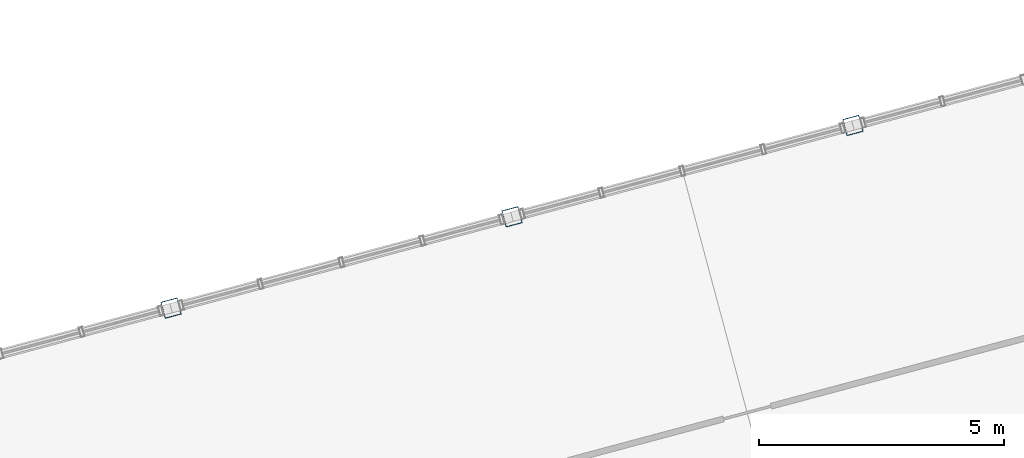
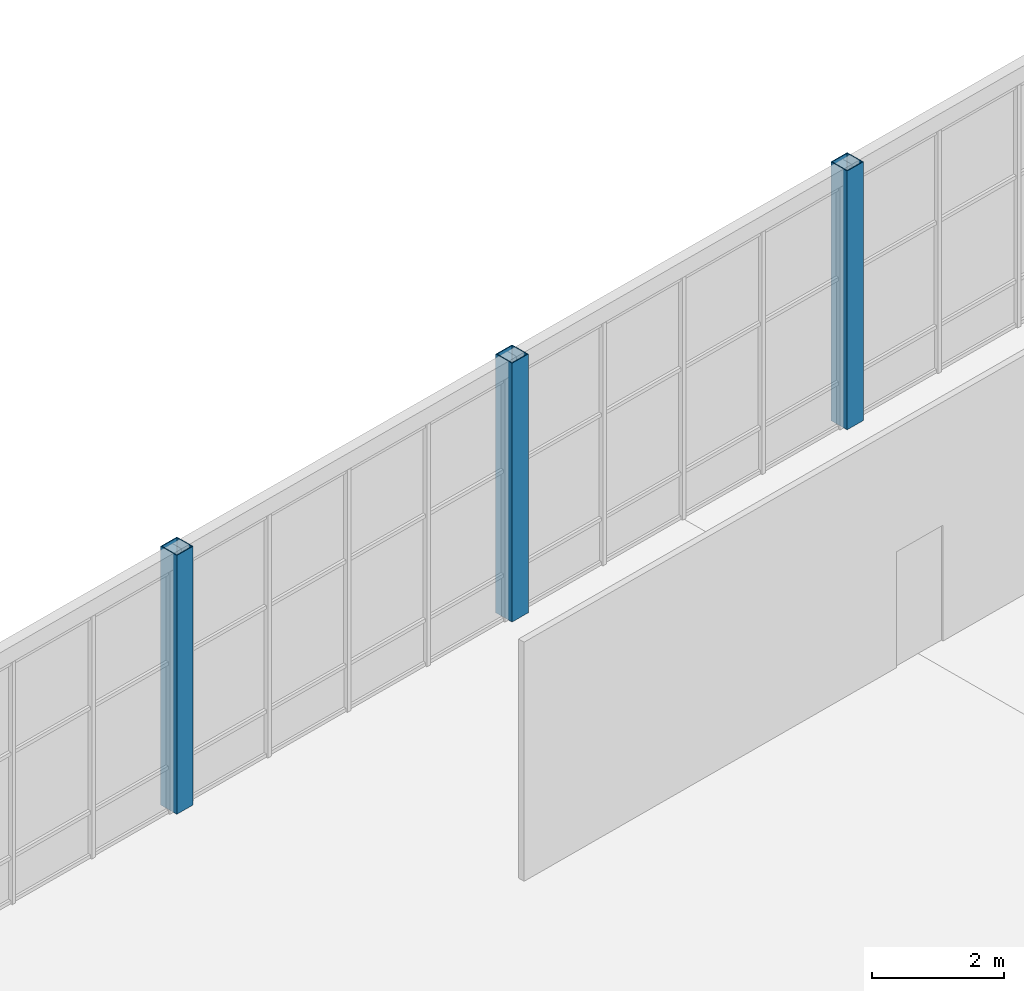
# One storey, part 4 of 99: 3 columns.
"""IFC4 building model written with IfcOpenShell, lengths in metres."""

from ifc_helpers import new_model, si_unit, direction, frame, origin, origin_2d, place, context, subcontext, project, spatial, hollow_rectangle, extrude, material, material_profile, profile_set, type_object, element, save


model = new_model("IFC4")

# Units and contexts
model_context = context("Model", 3, precision=1e-05, world=origin(), true_north=direction((0.0, 1.0)))
body_context = subcontext(model_context, "Body", "Model", "MODEL_VIEW")
ifc_project = project(units=[si_unit("LENGTHUNIT", "METRE"), si_unit("AREAUNIT", "SQUARE_METRE"), si_unit("VOLUMEUNIT", "CUBIC_METRE"), si_unit("PLANEANGLEUNIT", "RADIAN"), si_unit("MASSUNIT", "GRAM", prefix="KILO")], contexts=[model_context])

# Site, building, storey
site_placement = place(None, origin())
site = spatial("IfcSite", under=ifc_project, at=site_placement, CompositionType="ELEMENT")
building_placement = place(site_placement, origin())
building = spatial("IfcBuilding", under=site, at=building_placement, Name="Ventoquebrada Cableway Terminal", CompositionType="ELEMENT")
storey_placement = place(building_placement, frame((0.0, 0.0, 9.60009765625)))
storey = spatial("IfcBuildingStorey", under=building, at=storey_placement, Name="L02", CompositionType="ELEMENT", Elevation=9.60009765625)

# Columns
ifc_material = material(Name="Steel ASTM A500 Grade C", Category="steel")
ifc_material_profile = material_profile(ifc_material, hollow_rectangle(XDim=0.35009765625, YDim=0.35009765625, WallThickness=0.01611328125, at=origin_2d()), Name="HSS350X350X16")
ifc_profile_set = profile_set([ifc_material_profile], Name="Steel ASTM A500 Grade C")
column_type = type_object("IfcColumnType", Name="COL-ST05", PredefinedType="COLUMN", material=ifc_profile_set)
for number, where, z_axis, x_axis, name in (
    (1, (52.202880859375, 96.761962890625, 0.0), (0.0, 0.0, 1.0), (0.965925826289, 0.258819045103, 0.0), "Structural column FC-0694"),
    (2, (59.157958984375, 98.625, 0.0), (0.0, 0.0, 1.0), (0.965925826289, 0.258819045103, 0.0), "Structural column FC-0713"),
    (3, (66.113037109375, 100.489013671875, 0.0), (0.0, 0.0, 1.0), (0.965925826289, 0.258819045103, 0.0), "Structural column FC-0732"),
):
    element("IfcColumn", number, at=place(storey_placement, frame(where, z_axis=z_axis, x_axis=x_axis)), inside=storey, type_object=column_type, Name=name, PredefinedType="COLUMN", context=body_context, shape_type="SweptSolid", body=[
        extrude(hollow_rectangle(XDim=0.35009765625, YDim=0.35009765625, WallThickness=0.01611328125, at=origin_2d()), origin(), (0.0, 0.0, 1.0), 4.7998046875),
    ])

save(model, "model.ifc")
